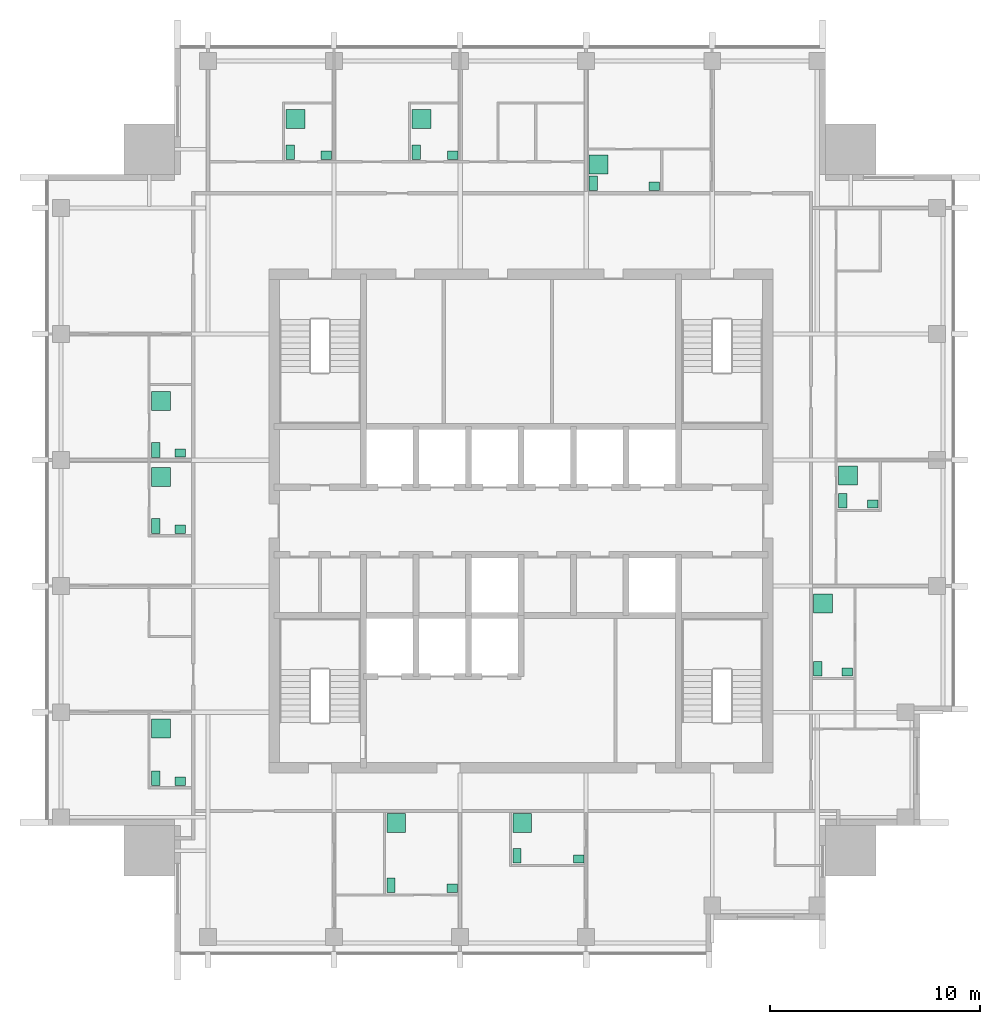
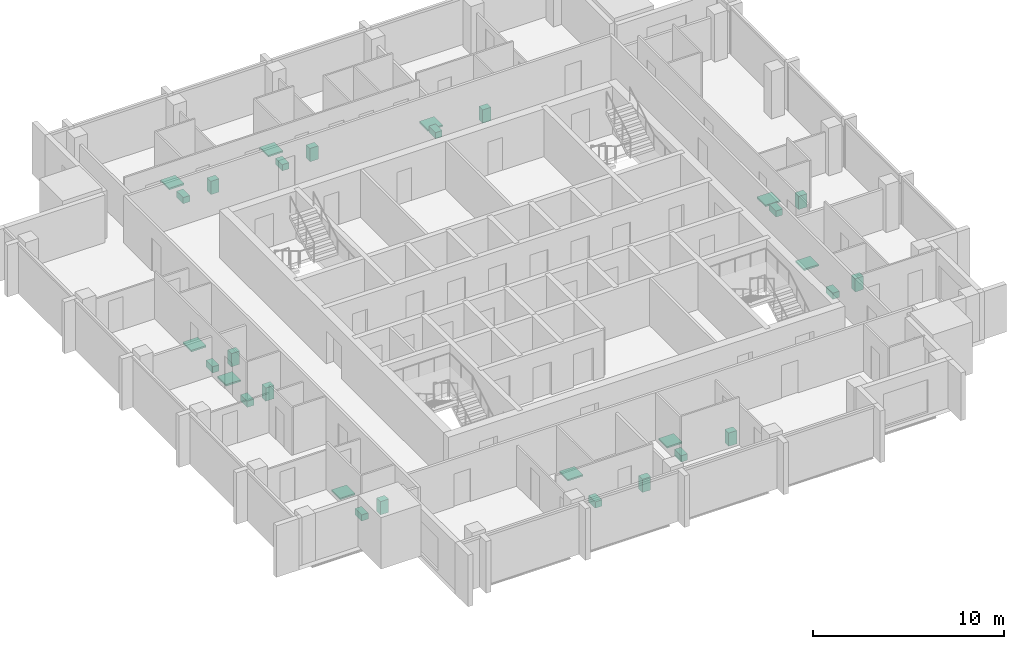
# One storey, part 9 of 9: 30 sanitary terminals.
"""IFC4 building model written with IfcOpenShell, lengths in metres."""

from ifc_helpers import new_model, si_unit, direction, frame, origin, origin_2d, place, context, subcontext, project, spatial, rectangle, extrude, element, save


model = new_model("IFC4")

# Units and contexts
model_context = context("Model", 3, precision=1e-05, world=origin(), true_north=direction((0.0, 1.0)))
body_context = subcontext(model_context, "Body", "Model", "MODEL_VIEW")
ifc_project = project(units=[si_unit("LENGTHUNIT", "METRE"), si_unit("AREAUNIT", "SQUARE_METRE"), si_unit("VOLUMEUNIT", "CUBIC_METRE"), si_unit("PLANEANGLEUNIT", "RADIAN"), si_unit("MASSUNIT", "GRAM", prefix="KILO")], contexts=[model_context])

# Site, building, storey
site_placement = place(None, origin())
site = spatial("IfcSite", under=ifc_project, at=site_placement, CompositionType="ELEMENT")
building_placement = place(site_placement, origin())
building = spatial("IfcBuilding", under=site, at=building_placement, Name="Amberfall Residences", CompositionType="ELEMENT")
storey_placement = place(building_placement, frame((0.0, 0.0, 252.10009765625)))
storey = spatial("IfcBuildingStorey", under=building, at=storey_placement, Name="L67", CompositionType="ELEMENT", Elevation=252.10009765625)

# Sanitary terminals
sanitary_terminal_1_placement = place(storey_placement, frame((68.31005859375, 28.159912109375, 0.0), z_axis=(0.0, 0.0, 1.0), x_axis=(1.0, 0.0, 0.0)))
element("IfcSanitaryTerminal", 1, at=sanitary_terminal_1_placement, inside=storey, Name="Water closet 6701", PredefinedType="TOILETPAN", context=body_context, shape_type="SweptSolid", body=[
    extrude(rectangle(XDim=0.39990234375, YDim=0.699951171875, at=origin_2d()), origin(), (0.0, 0.0, 1.0), 0.39990234375),
])
sanitary_terminal_2_placement = place(storey_placement, frame((71.215087890625, 28.010009765625, -0.000244140625), z_axis=(0.0, 0.0, 1.0), x_axis=(1.0, 0.0, 0.0)))
element("IfcSanitaryTerminal", 2, at=sanitary_terminal_2_placement, inside=storey, Name="Basin 6701", PredefinedType="WASHHANDBASIN", context=body_context, shape_type="SweptSolid", body=[
    extrude(rectangle(XDim=0.5, YDim=0.39990234375, at=origin_2d()), origin(), (0.0, 0.0, 1.0), 0.85009765625),
])
sanitary_terminal_3_placement = place(storey_placement, frame((68.56005859375, 31.114990234375, -0.000244140625), z_axis=(0.0, 0.0, 1.0), x_axis=(1.0, 0.0, 0.0)))
element("IfcSanitaryTerminal", 3, at=sanitary_terminal_3_placement, inside=storey, Name="Shower tray 6701", PredefinedType="SHOWER", context=body_context, shape_type="SweptSolid", body=[
    extrude(rectangle(XDim=0.89990234375, YDim=0.89990234375, at=origin_2d()), origin(), (0.0, 0.0, 1.0), 0.10009765625),
])
sanitary_terminal_4_placement = place(storey_placement, frame((74.31005859375, 29.56005859375, 0.0), z_axis=(0.0, 0.0, 1.0), x_axis=(1.0, 0.0, 0.0)))
element("IfcSanitaryTerminal", 4, at=sanitary_terminal_4_placement, inside=storey, Name="Water closet 6702", PredefinedType="TOILETPAN", context=body_context, shape_type="SweptSolid", body=[
    extrude(rectangle(XDim=0.39990234375, YDim=0.699951171875, at=origin_2d()), origin(), (0.0, 0.0, 1.0), 0.39990234375),
])
sanitary_terminal_5_placement = place(storey_placement, frame((77.239990234375, 29.409912109375, -0.000244140625), z_axis=(0.0, 0.0, 1.0), x_axis=(1.0, 0.0, 0.0)))
element("IfcSanitaryTerminal", 5, at=sanitary_terminal_5_placement, inside=storey, Name="Basin 6702", PredefinedType="WASHHANDBASIN", context=body_context, shape_type="SweptSolid", body=[
    extrude(rectangle(XDim=0.5, YDim=0.39990234375, at=origin_2d()), origin(), (0.0, 0.0, 1.0), 0.85009765625),
])
sanitary_terminal_6_placement = place(storey_placement, frame((74.56005859375, 31.114990234375, -0.000244140625), z_axis=(0.0, 0.0, 1.0), x_axis=(1.0, 0.0, 0.0)))
element("IfcSanitaryTerminal", 6, at=sanitary_terminal_6_placement, inside=storey, Name="Shower tray 6702", PredefinedType="SHOWER", context=body_context, shape_type="SweptSolid", body=[
    extrude(rectangle(XDim=0.89990234375, YDim=0.89990234375, at=origin_2d()), origin(), (0.0, 0.0, 1.0), 0.10009765625),
])
sanitary_terminal_7_placement = place(storey_placement, frame((88.635009765625, 38.4599609375, 0.0), z_axis=(0.0, 0.0, 1.0), x_axis=(1.0, 0.0, 0.0)))
element("IfcSanitaryTerminal", 7, at=sanitary_terminal_7_placement, inside=storey, Name="Water closet 6703", PredefinedType="TOILETPAN", context=body_context, shape_type="SweptSolid", body=[
    extrude(rectangle(XDim=0.39990234375, YDim=0.699951171875, at=origin_2d()), origin(), (0.0, 0.0, 1.0), 0.39990234375),
])
sanitary_terminal_8_placement = place(storey_placement, frame((90.0400390625, 38.31005859375, -0.000244140625), z_axis=(0.0, 0.0, 1.0), x_axis=(1.0, 0.0, 0.0)))
element("IfcSanitaryTerminal", 8, at=sanitary_terminal_8_placement, inside=storey, Name="Basin 6703", PredefinedType="WASHHANDBASIN", context=body_context, shape_type="SweptSolid", body=[
    extrude(rectangle(XDim=0.5, YDim=0.39990234375, at=origin_2d()), origin(), (0.0, 0.0, 1.0), 0.85009765625),
])
sanitary_terminal_9_placement = place(storey_placement, frame((88.885009765625, 41.58251953125, -0.000244140625), z_axis=(0.0, 0.0, 1.0), x_axis=(1.0, 0.0, 0.0)))
element("IfcSanitaryTerminal", 9, at=sanitary_terminal_9_placement, inside=storey, Name="Shower tray 6703", PredefinedType="SHOWER", context=body_context, shape_type="SweptSolid", body=[
    extrude(rectangle(XDim=0.89990234375, YDim=0.89990234375, at=origin_2d()), origin(), (0.0, 0.0, 1.0), 0.10009765625),
])
sanitary_terminal_10_placement = place(storey_placement, frame((89.81005859375, 46.4599609375, 0.0), z_axis=(0.0, 0.0, 1.0), x_axis=(1.0, 0.0, 0.0)))
element("IfcSanitaryTerminal", 10, at=sanitary_terminal_10_placement, inside=storey, Name="Water closet 6704", PredefinedType="TOILETPAN", context=body_context, shape_type="SweptSolid", body=[
    extrude(rectangle(XDim=0.39990234375, YDim=0.699951171875, at=origin_2d()), origin(), (0.0, 0.0, 1.0), 0.39990234375),
])
sanitary_terminal_11_placement = place(storey_placement, frame((91.239990234375, 46.31005859375, -0.000244140625), z_axis=(0.0, 0.0, 1.0), x_axis=(1.0, 0.0, 0.0)))
element("IfcSanitaryTerminal", 11, at=sanitary_terminal_11_placement, inside=storey, Name="Basin 6704", PredefinedType="WASHHANDBASIN", context=body_context, shape_type="SweptSolid", body=[
    extrude(rectangle(XDim=0.5, YDim=0.39990234375, at=origin_2d()), origin(), (0.0, 0.0, 1.0), 0.85009765625),
])
sanitary_terminal_12_placement = place(storey_placement, frame((90.06005859375, 47.6572265625, -0.000244140625), z_axis=(0.0, 0.0, 1.0), x_axis=(1.0, 0.0, 0.0)))
element("IfcSanitaryTerminal", 12, at=sanitary_terminal_12_placement, inside=storey, Name="Shower tray 6704", PredefinedType="SHOWER", context=body_context, shape_type="SweptSolid", body=[
    extrude(rectangle(XDim=0.89990234375, YDim=0.89990234375, at=origin_2d()), origin(), (0.0, 0.0, 1.0), 0.10009765625),
])
sanitary_terminal_13_placement = place(storey_placement, frame((63.510009765625, 63.06005859375, 0.0), z_axis=(0.0, 0.0, 1.0), x_axis=(1.0, 0.0, 0.0)))
element("IfcSanitaryTerminal", 13, at=sanitary_terminal_13_placement, inside=storey, Name="Water closet 6705", PredefinedType="TOILETPAN", context=body_context, shape_type="SweptSolid", body=[
    extrude(rectangle(XDim=0.39990234375, YDim=0.699951171875, at=origin_2d()), origin(), (0.0, 0.0, 1.0), 0.39990234375),
])
sanitary_terminal_14_placement = place(storey_placement, frame((65.239990234375, 62.909912109375, -0.000244140625), z_axis=(0.0, 0.0, 1.0), x_axis=(1.0, 0.0, 0.0)))
element("IfcSanitaryTerminal", 14, at=sanitary_terminal_14_placement, inside=storey, Name="Basin 6705", PredefinedType="WASHHANDBASIN", context=body_context, shape_type="SweptSolid", body=[
    extrude(rectangle(XDim=0.5, YDim=0.39990234375, at=origin_2d()), origin(), (0.0, 0.0, 1.0), 0.85009765625),
])
sanitary_terminal_15_placement = place(storey_placement, frame((63.760009765625, 64.6298828125, -0.000244140625), z_axis=(0.0, 0.0, 1.0), x_axis=(1.0, 0.0, 0.0)))
element("IfcSanitaryTerminal", 15, at=sanitary_terminal_15_placement, inside=storey, Name="Shower tray 6705", PredefinedType="SHOWER", context=body_context, shape_type="SweptSolid", body=[
    extrude(rectangle(XDim=0.89990234375, YDim=0.89990234375, at=origin_2d()), origin(), (0.0, 0.0, 1.0), 0.10009765625),
])
sanitary_terminal_16_placement = place(storey_placement, frame((69.510009765625, 63.06005859375, 0.0), z_axis=(0.0, 0.0, 1.0), x_axis=(1.0, 0.0, 0.0)))
element("IfcSanitaryTerminal", 16, at=sanitary_terminal_16_placement, inside=storey, Name="Water closet 6705", PredefinedType="TOILETPAN", context=body_context, shape_type="SweptSolid", body=[
    extrude(rectangle(XDim=0.39990234375, YDim=0.699951171875, at=origin_2d()), origin(), (0.0, 0.0, 1.0), 0.39990234375),
])
sanitary_terminal_17_placement = place(storey_placement, frame((71.239990234375, 62.909912109375, -0.000244140625), z_axis=(0.0, 0.0, 1.0), x_axis=(1.0, 0.0, 0.0)))
element("IfcSanitaryTerminal", 17, at=sanitary_terminal_17_placement, inside=storey, Name="Basin 6705", PredefinedType="WASHHANDBASIN", context=body_context, shape_type="SweptSolid", body=[
    extrude(rectangle(XDim=0.5, YDim=0.39990234375, at=origin_2d()), origin(), (0.0, 0.0, 1.0), 0.85009765625),
])
sanitary_terminal_18_placement = place(storey_placement, frame((69.760009765625, 64.6298828125, -0.000244140625), z_axis=(0.0, 0.0, 1.0), x_axis=(1.0, 0.0, 0.0)))
element("IfcSanitaryTerminal", 18, at=sanitary_terminal_18_placement, inside=storey, Name="Shower tray 6705", PredefinedType="SHOWER", context=body_context, shape_type="SweptSolid", body=[
    extrude(rectangle(XDim=0.89990234375, YDim=0.89990234375, at=origin_2d()), origin(), (0.0, 0.0, 1.0), 0.10009765625),
])
sanitary_terminal_19_placement = place(storey_placement, frame((77.93505859375, 61.5849609375, 0.0), z_axis=(0.0, 0.0, 1.0), x_axis=(1.0, 0.0, 0.0)))
element("IfcSanitaryTerminal", 19, at=sanitary_terminal_19_placement, inside=storey, Name="Water closet 6706", PredefinedType="TOILETPAN", context=body_context, shape_type="SweptSolid", body=[
    extrude(rectangle(XDim=0.39990234375, YDim=0.699951171875, at=origin_2d()), origin(), (0.0, 0.0, 1.0), 0.39990234375),
])
sanitary_terminal_20_placement = place(storey_placement, frame((80.840087890625, 61.43505859375, -0.000244140625), z_axis=(0.0, 0.0, 1.0), x_axis=(1.0, 0.0, 0.0)))
element("IfcSanitaryTerminal", 20, at=sanitary_terminal_20_placement, inside=storey, Name="Basin 6706", PredefinedType="WASHHANDBASIN", context=body_context, shape_type="SweptSolid", body=[
    extrude(rectangle(XDim=0.5, YDim=0.39990234375, at=origin_2d()), origin(), (0.0, 0.0, 1.0), 0.85009765625),
])
sanitary_terminal_21_placement = place(storey_placement, frame((78.18505859375, 62.480712890625, -0.000244140625), z_axis=(0.0, 0.0, 1.0), x_axis=(1.0, 0.0, 0.0)))
element("IfcSanitaryTerminal", 21, at=sanitary_terminal_21_placement, inside=storey, Name="Shower tray 6706", PredefinedType="SHOWER", context=body_context, shape_type="SweptSolid", body=[
    extrude(rectangle(XDim=0.89990234375, YDim=0.89990234375, at=origin_2d()), origin(), (0.0, 0.0, 1.0), 0.10009765625),
])
sanitary_terminal_22_placement = place(storey_placement, frame((57.110107421875, 33.260009765625, 0.0), z_axis=(0.0, 0.0, 1.0), x_axis=(1.0, 0.0, 0.0)))
element("IfcSanitaryTerminal", 22, at=sanitary_terminal_22_placement, inside=storey, Name="Water closet 6707", PredefinedType="TOILETPAN", context=body_context, shape_type="SweptSolid", body=[
    extrude(rectangle(XDim=0.39990234375, YDim=0.699951171875, at=origin_2d()), origin(), (0.0, 0.0, 1.0), 0.39990234375),
])
sanitary_terminal_23_placement = place(storey_placement, frame((58.2890625, 33.110107421875, -0.000244140625), z_axis=(0.0, 0.0, 1.0), x_axis=(1.0, 0.0, 0.0)))
element("IfcSanitaryTerminal", 23, at=sanitary_terminal_23_placement, inside=storey, Name="Basin 6707", PredefinedType="WASHHANDBASIN", context=body_context, shape_type="SweptSolid", body=[
    extrude(rectangle(XDim=0.5, YDim=0.39990234375, at=origin_2d()), origin(), (0.0, 0.0, 1.0), 0.85009765625),
])
sanitary_terminal_24_placement = place(storey_placement, frame((57.360107421875, 35.614501953125, -0.000244140625), z_axis=(0.0, 0.0, 1.0), x_axis=(1.0, 0.0, 0.0)))
element("IfcSanitaryTerminal", 24, at=sanitary_terminal_24_placement, inside=storey, Name="Shower tray 6707", PredefinedType="SHOWER", context=body_context, shape_type="SweptSolid", body=[
    extrude(rectangle(XDim=0.89990234375, YDim=0.89990234375, at=origin_2d()), origin(), (0.0, 0.0, 1.0), 0.10009765625),
])
sanitary_terminal_25_placement = place(storey_placement, frame((57.110107421875, 45.260009765625, 0.0), z_axis=(0.0, 0.0, 1.0), x_axis=(1.0, 0.0, 0.0)))
element("IfcSanitaryTerminal", 25, at=sanitary_terminal_25_placement, inside=storey, Name="Water closet 6707", PredefinedType="TOILETPAN", context=body_context, shape_type="SweptSolid", body=[
    extrude(rectangle(XDim=0.39990234375, YDim=0.699951171875, at=origin_2d()), origin(), (0.0, 0.0, 1.0), 0.39990234375),
])
sanitary_terminal_26_placement = place(storey_placement, frame((58.2890625, 45.110107421875, -0.000244140625), z_axis=(0.0, 0.0, 1.0), x_axis=(1.0, 0.0, 0.0)))
element("IfcSanitaryTerminal", 26, at=sanitary_terminal_26_placement, inside=storey, Name="Basin 6707", PredefinedType="WASHHANDBASIN", context=body_context, shape_type="SweptSolid", body=[
    extrude(rectangle(XDim=0.5, YDim=0.39990234375, at=origin_2d()), origin(), (0.0, 0.0, 1.0), 0.85009765625),
])
sanitary_terminal_27_placement = place(storey_placement, frame((57.360107421875, 47.591796875, -0.000244140625), z_axis=(0.0, 0.0, 1.0), x_axis=(1.0, 0.0, 0.0)))
element("IfcSanitaryTerminal", 27, at=sanitary_terminal_27_placement, inside=storey, Name="Shower tray 6707", PredefinedType="SHOWER", context=body_context, shape_type="SweptSolid", body=[
    extrude(rectangle(XDim=0.89990234375, YDim=0.89990234375, at=origin_2d()), origin(), (0.0, 0.0, 1.0), 0.10009765625),
])
sanitary_terminal_28_placement = place(storey_placement, frame((57.110107421875, 48.885009765625, 0.0), z_axis=(0.0, 0.0, 1.0), x_axis=(1.0, 0.0, 0.0)))
element("IfcSanitaryTerminal", 28, at=sanitary_terminal_28_placement, inside=storey, Name="Water closet 6708", PredefinedType="TOILETPAN", context=body_context, shape_type="SweptSolid", body=[
    extrude(rectangle(XDim=0.39990234375, YDim=0.699951171875, at=origin_2d()), origin(), (0.0, 0.0, 1.0), 0.39990234375),
])
sanitary_terminal_29_placement = place(storey_placement, frame((58.2890625, 48.735107421875, -0.000244140625), z_axis=(0.0, 0.0, 1.0), x_axis=(1.0, 0.0, 0.0)))
element("IfcSanitaryTerminal", 29, at=sanitary_terminal_29_placement, inside=storey, Name="Basin 6708", PredefinedType="WASHHANDBASIN", context=body_context, shape_type="SweptSolid", body=[
    extrude(rectangle(XDim=0.5, YDim=0.39990234375, at=origin_2d()), origin(), (0.0, 0.0, 1.0), 0.85009765625),
])
sanitary_terminal_30_placement = place(storey_placement, frame((57.360107421875, 51.216796875, -0.000244140625), z_axis=(0.0, 0.0, 1.0), x_axis=(1.0, 0.0, 0.0)))
element("IfcSanitaryTerminal", 30, at=sanitary_terminal_30_placement, inside=storey, Name="Shower tray 6708", PredefinedType="SHOWER", context=body_context, shape_type="SweptSolid", body=[
    extrude(rectangle(XDim=0.89990234375, YDim=0.89990234375, at=origin_2d()), origin(), (0.0, 0.0, 1.0), 0.10009765625),
])

save(model, "model.ifc")
